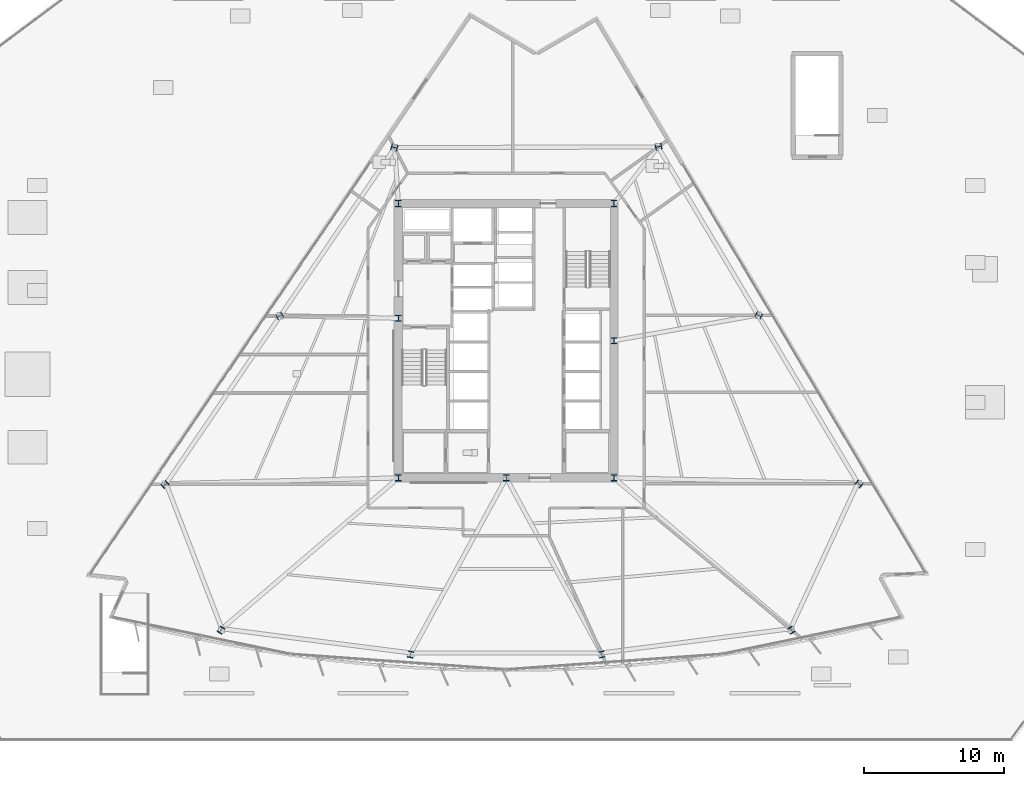
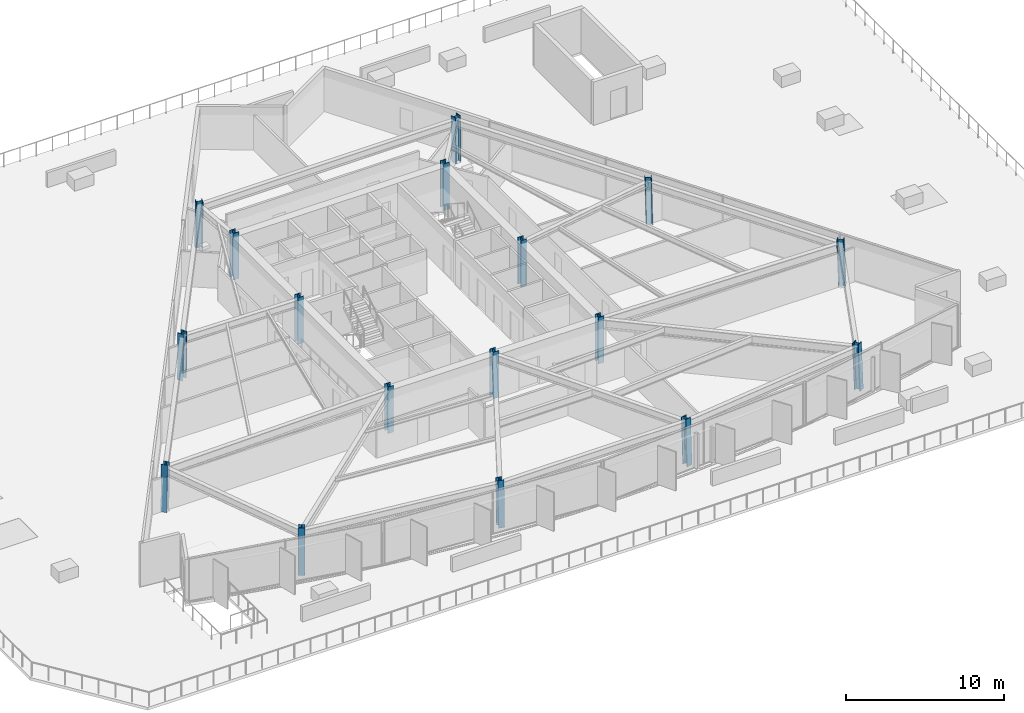
# One storey, part 1 of 19: 17 columns.
"""IFC4 building model written with IfcOpenShell, lengths in metres."""

from ifc_helpers import new_model, si_unit, direction, frame, origin, origin_2d, place, context, subcontext, project, spatial, i_section, extrude, material, material_profile, profile_set, type_object, element, save


model = new_model("IFC4")

# Units and contexts
model_context = context("Model", 3, precision=1e-05, world=origin(), true_north=direction((0.0, 1.0)))
body_context = subcontext(model_context, "Body", "Model", "MODEL_VIEW")
ifc_project = project(units=[si_unit("LENGTHUNIT", "METRE"), si_unit("AREAUNIT", "SQUARE_METRE"), si_unit("VOLUMEUNIT", "CUBIC_METRE"), si_unit("PLANEANGLEUNIT", "RADIAN"), si_unit("MASSUNIT", "GRAM", prefix="KILO")], contexts=[model_context])

# Site, building, storey
site_placement = place(None, origin())
site = spatial("IfcSite", under=ifc_project, at=site_placement, CompositionType="ELEMENT")
building_placement = place(site_placement, origin())
building = spatial("IfcBuilding", under=site, at=building_placement, Name="Savorim Split Tower", CompositionType="ELEMENT")
storey_placement = place(building_placement, frame((0.0, 0.0, 26.39990234375)))
storey = spatial("IfcBuildingStorey", under=building, at=storey_placement, Name="L06", CompositionType="ELEMENT", Elevation=26.39990234375)

# Columns
ifc_material = material(Name="Steel S460", Category="steel")
ifc_material_profile = material_profile(ifc_material, i_section(OverallWidth=0.416015625, OverallDepth=0.446044921875, WebThickness=0.02490234375, FlangeThickness=0.0400390625, FilletRadius=0.014892578125, at=origin_2d()), Name="HD 400x509")
ifc_profile_set = profile_set([ifc_material_profile], Name="Steel S460")
column_type = type_object("IfcColumnType", Name="COL-HD-509", PredefinedType="COLUMN", material=ifc_profile_set)
for number, where, z_axis, x_axis, name in (
    (1, (-7.699951171875, -9.39990234375, 0.0), (0.0, 0.0, 1.0), (1.0, 0.0, 0.0), "L06 Core Structural Column TC-C1"),
    (2, (7.699951171875, -9.39990234375, 0.0), (0.0, 0.0, 1.0), (1.0, 0.0, 0.0), "L06 Core Structural Column TC-C2"),
    (3, (7.699951171875, 10.199951171875, 0.0), (0.0, 0.0, 1.0), (1.0, 0.0, 0.0), "L06 Core Structural Column TC-C3"),
    (4, (-7.699951171875, 10.199951171875, 0.0), (0.0, 0.0, 1.0), (1.0, 0.0, 0.0), "L06 Core Structural Column TC-C4"),
    (5, (0.0, -9.39990234375, 0.0), (0.0, 0.0, 1.0), (1.0, 0.0, 0.0), "L06 Core Structural Column TC-C5"),
    (6, (7.699951171875, 0.39990234375, 0.0), (0.0, 0.0, 1.0), (1.0, 0.0, 0.0), "L06 Core Structural Column TC-C6"),
    (7, (-7.699951171875, 2.0, 0.0), (0.0, 0.0, 1.0), (1.0, 0.0, 0.0), "L06 Core Structural Column TC-C7"),
):
    element("IfcColumn", number, at=place(storey_placement, frame(where, z_axis=z_axis, x_axis=x_axis)), inside=storey, type_object=column_type, Name=name, PredefinedType="COLUMN", context=body_context, shape_type="SweptSolid", body=[
        extrude(i_section(OverallWidth=0.416015625, OverallDepth=0.446044921875, WebThickness=0.02490234375, FlangeThickness=0.0400390625, FilletRadius=0.014892578125, at=origin_2d()), origin(), (0.0, 0.0, 1.0), 3.60009765625),
    ])
column_1_placement = place(storey_placement, frame((-20.384033203125, -20.291748046875, 0.01513671875), z_axis=(0.020650996308, 0.033600465939, 0.999221969855), x_axis=(-0.851954850327, 0.523615252838, 0.0)))
element("IfcColumn", 8, at=column_1_placement, inside=storey, type_object=column_type, Name="L06 Tapered Perimeter Column PC-S1", PredefinedType="COLUMN", context=body_context, shape_type="SweptSolid", body=[
    extrude(i_section(OverallWidth=0.416015625, OverallDepth=0.446044921875, WebThickness=0.02490234375, FlangeThickness=0.0400390625, FilletRadius=0.014892578125, at=origin_2d()), origin(), (0.0, 0.0, 1.0), 3.58203125),
])
for number, where, z_axis, x_axis, name in (
    (9, (-6.831787109375, -22.03173828125, 0.01513671875), (0.006952726992, 0.035308946882, 0.999352259145), (-0.981159154887, 0.193201223549, 0.0), "L06 Tapered Perimeter Column PC-S2"),
    (10, (6.831787109375, -22.03173828125, 0.01513671875), (-0.006952726992, 0.035308946882, 0.999352259145), (-0.981159154887, -0.193201223549, 0.0), "L06 Tapered Perimeter Column PC-S3"),
):
    element("IfcColumn", number, at=place(storey_placement, frame(where, z_axis=z_axis, x_axis=x_axis)), inside=storey, type_object=column_type, Name=name, PredefinedType="COLUMN", context=body_context, shape_type="SweptSolid", body=[
        extrude(i_section(OverallWidth=0.416015625, OverallDepth=0.446044921875, WebThickness=0.02490234375, FlangeThickness=0.0400390625, FilletRadius=0.014892578125, at=origin_2d()), origin(), (0.0, 0.0, 1.0), 3.581787109375),
    ])
column_2_placement = place(storey_placement, frame((20.384033203125, -20.291748046875, 0.01513671875), z_axis=(-0.020650996308, 0.033600465939, 0.999221969855), x_axis=(-0.851954850327, -0.523615252838, 0.0)))
element("IfcColumn", 11, at=column_2_placement, inside=storey, type_object=column_type, Name="L06 Tapered Perimeter Column PC-S4", PredefinedType="COLUMN", context=body_context, shape_type="SweptSolid", body=[
    extrude(i_section(OverallWidth=0.416015625, OverallDepth=0.446044921875, WebThickness=0.02490234375, FlangeThickness=0.0400390625, FilletRadius=0.014892578125, at=origin_2d()), origin(), (0.0, 0.0, 1.0), 3.58203125),
])
column_3_placement = place(storey_placement, frame((25.21337890625, -9.845458984375, 0.01513671875), z_axis=(-0.026108683426, 0.021677705821, 0.999424040996), x_axis=(-0.638800249892, -0.769372628015, 0.0)))
element("IfcColumn", 12, at=column_3_placement, inside=storey, type_object=column_type, Name="L06 Tapered Perimeter Column PC-E1", PredefinedType="COLUMN", context=body_context, shape_type="SweptSolid", body=[
    extrude(i_section(OverallWidth=0.416015625, OverallDepth=0.446044921875, WebThickness=0.02490234375, FlangeThickness=0.0400390625, FilletRadius=0.014892578125, at=origin_2d()), origin(), (0.0, 0.0, 1.0), 3.581298828125),
])
column_4_placement = place(storey_placement, frame((18.049560546875, 2.202392578125, 0.01513671875), z_axis=(-0.018957587265, 0.009615179153, 0.999774053582), x_axis=(-0.452339157861, -0.891845999187, 0.0)))
element("IfcColumn", 13, at=column_4_placement, inside=storey, type_object=column_type, Name="L06 Tapered Perimeter Column PC-E2", PredefinedType="COLUMN", context=body_context, shape_type="SweptSolid", body=[
    extrude(i_section(OverallWidth=0.416015625, OverallDepth=0.446044921875, WebThickness=0.02490234375, FlangeThickness=0.0400390625, FilletRadius=0.014892578125, at=origin_2d()), origin(), (0.0, 0.0, 1.0), 3.580078125),
])
for number, where, z_axis, x_axis, name in (
    (14, (10.885498046875, 14.25048828125, 0.01513671875), (-0.0117309588, -0.002591723456, 0.999927831183), (0.215728093413, -0.976453475447, 0.0), "L06 Tapered Perimeter Column PC-E3"),
    (15, (-7.992431640625, 14.20166015625, 0.01513671875), (0.008798483968, -0.002591801479, 0.999957933738), (0.282568886397, 0.959247009086, 0.0), "L06 Tapered Perimeter Column PC-W1"),
):
    element("IfcColumn", number, at=place(storey_placement, frame(where, z_axis=z_axis, x_axis=x_axis)), inside=storey, type_object=column_type, Name=name, PredefinedType="COLUMN", context=body_context, shape_type="SweptSolid", body=[
        extrude(i_section(OverallWidth=0.416015625, OverallDepth=0.446044921875, WebThickness=0.02490234375, FlangeThickness=0.0400390625, FilletRadius=0.014892578125, at=origin_2d()), origin(), (0.0, 0.0, 1.0), 3.57958984375),
    ])
column_5_placement = place(storey_placement, frame((-16.1884765625, 2.15380859375, 0.01513671875), z_axis=(0.017048787183, 0.009547320822, 0.999809075534), x_axis=(-0.488603368932, 0.87250601595, 0.0)))
element("IfcColumn", 16, at=column_5_placement, inside=storey, type_object=column_type, Name="L06 Tapered Perimeter Column PC-W2", PredefinedType="COLUMN", context=body_context, shape_type="SweptSolid", body=[
    extrude(i_section(OverallWidth=0.416015625, OverallDepth=0.446044921875, WebThickness=0.02490234375, FlangeThickness=0.0400390625, FilletRadius=0.014892578125, at=origin_2d()), origin(), (0.0, 0.0, 1.0), 3.580078125),
])
column_6_placement = place(storey_placement, frame((-24.384521484375, -9.894287109375, 0.01513671875), z_axis=(0.025291188493, 0.021678161566, 0.999445052565), x_axis=(-0.650791373456, 0.759256602365, 0.0)))
element("IfcColumn", 17, at=column_6_placement, inside=storey, type_object=column_type, Name="L06 Tapered Perimeter Column PC-W3", PredefinedType="COLUMN", context=body_context, shape_type="SweptSolid", body=[
    extrude(i_section(OverallWidth=0.416015625, OverallDepth=0.446044921875, WebThickness=0.02490234375, FlangeThickness=0.0400390625, FilletRadius=0.014892578125, at=origin_2d()), origin(), (0.0, 0.0, 1.0), 3.581298828125),
])

save(model, "model.ifc")
